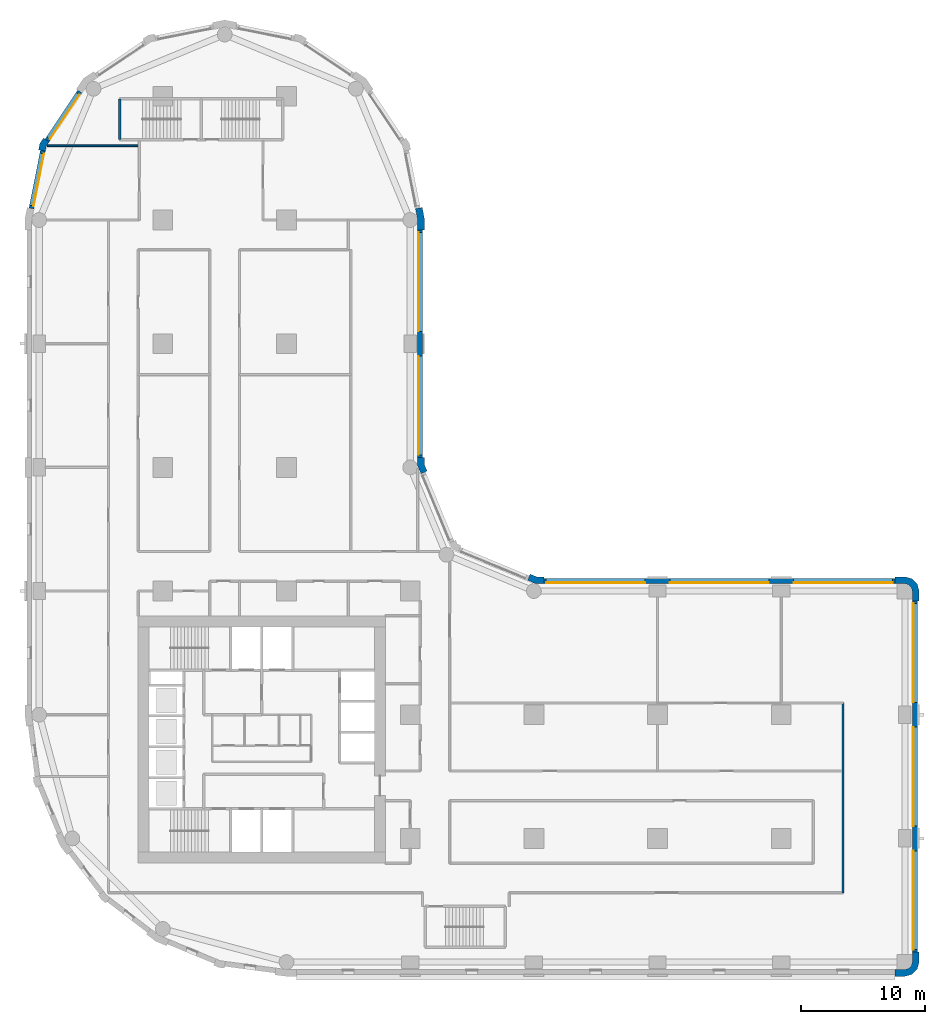
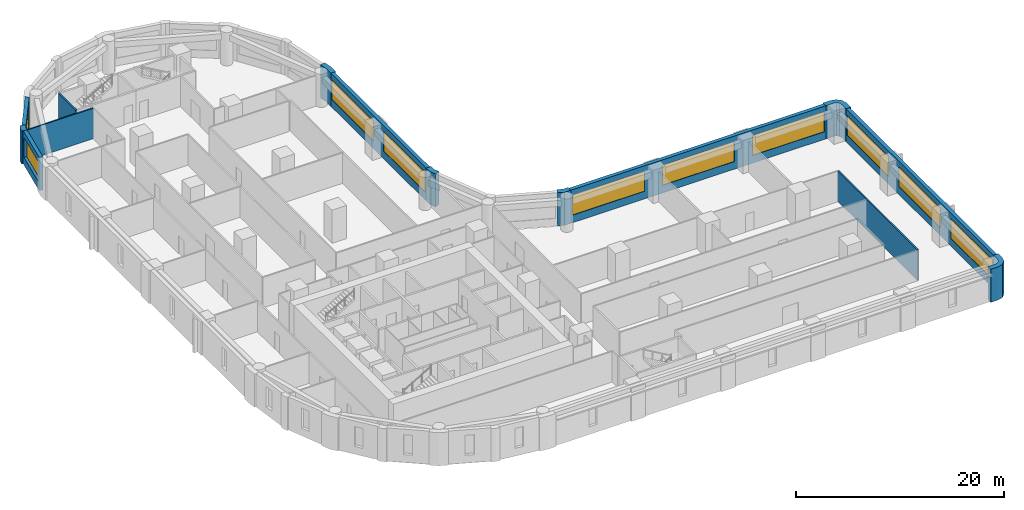
# One storey, part 6 of 10: 14 walls, 10 windows, 10 openings.
"""IFC4 building model written with IfcOpenShell, lengths in metres."""

from ifc_helpers import new_model, si_unit, direction, frame, frame_2d, origin, place, context, subcontext, project, spatial, polyline, rectangle, outline, extrude, material, layer, layer_set, type_object, element, fill, save


model = new_model("IFC4")

# Units and contexts
model_context = context("Model", 3, precision=1e-05, world=origin(), true_north=direction((0.0, 1.0)))
body_context = subcontext(model_context, "Body", "Model", "MODEL_VIEW")
ifc_project = project(units=[si_unit("LENGTHUNIT", "METRE"), si_unit("AREAUNIT", "SQUARE_METRE"), si_unit("VOLUMEUNIT", "CUBIC_METRE"), si_unit("PLANEANGLEUNIT", "RADIAN"), si_unit("MASSUNIT", "GRAM", prefix="KILO")], contexts=[model_context])

# Site, building, storey
site_placement = place(None, origin())
site = spatial("IfcSite", under=ifc_project, at=site_placement, CompositionType="ELEMENT")
building_placement = place(site_placement, origin())
building = spatial("IfcBuilding", under=site, at=building_placement, Name="Qaws Garden Tower", CompositionType="ELEMENT")
storey_placement = place(building_placement, frame((0.0, 0.0, 19.800048828125)))
storey = spatial("IfcBuildingStorey", under=building, at=storey_placement, Name="L04", CompositionType="ELEMENT", Elevation=19.800048828125)

# Walls
ifc_material_1 = material(Name="Clay facing brick masonry", Category="masonry")
ifc_layer_1 = layer(ifc_material_1, 0.550048828125)
ifc_layer_set_1 = layer_set([ifc_layer_1], Name="Clay facing brick masonry")
wall_type_1 = type_object("IfcWallType", Name="Brick corner pier 550 x 2400", PredefinedType="SOLIDWALL", material=ifc_layer_set_1)
placement = place(storey_placement, origin())
element("IfcWall", 1, at=placement, inside=storey, type_object=wall_type_1, Name="E-L04-pier-05", PredefinedType="SOLIDWALL", context=body_context, shape_type="SweptSolid", body=[
    extrude(outline(polyline([(69.199951171875, -1.0), (69.199951171875, -1.14990234375), (70.0, -1.14990234375), (70.574951171875, -0.995849609375), (70.995849609375, -0.574951171875), (71.14990234375, 0.0), (71.14990234375, 0.800048828125), (71.0, 0.800048828125), (70.60009765625, 0.800048828125), (70.60009765625, 0.0), (70.51953125, -0.300048828125), (70.300048828125, -0.51953125), (70.0, -0.60009765625), (69.199951171875, -0.60009765625), (69.199951171875, -1.0)])), origin(), (0.0, 0.0, 1.0), 3.89990234375),
])
element("IfcWall", 2, at=placement, inside=storey, type_object=wall_type_1, Name="E-L04-pier-08", PredefinedType="SOLIDWALL", context=body_context, shape_type="SweptSolid", body=[
    extrude(outline(polyline([(71.0, 29.199951171875), (71.14990234375, 29.199951171875), (71.14990234375, 30.0), (70.995849609375, 30.574951171875), (70.574951171875, 30.995849609375), (70.0, 31.14990234375), (69.199951171875, 31.14990234375), (69.199951171875, 31.0), (69.199951171875, 30.60009765625), (70.0, 30.60009765625), (70.300048828125, 30.51953125), (70.51953125, 30.300048828125), (70.60009765625, 30.0), (70.60009765625, 29.199951171875), (71.0, 29.199951171875)])), origin(), (0.0, 0.0, 1.0), 3.89990234375),
])

# Wall, openings, windows
ifc_material_2 = material(Name="Clay facing brick masonry", Category="masonry")
ifc_layer_2 = layer(ifc_material_2, 0.39990234375)
ifc_layer_set_2 = layer_set([ifc_layer_2], Name="Clay facing brick masonry")
wall_type_2 = type_object("IfcWallType", Name="Brick infill wall 400", PredefinedType="SOLIDWALL", material=ifc_layer_set_2)
wall_3_placement = place(storey_placement, frame((70.800048828125, 0.800048828125, 0.0), z_axis=(0.0, 0.0, 1.0), x_axis=(0.0, 1.0, 0.0)))
wall_3 = element("IfcWall", 3, at=wall_3_placement, inside=storey, type_object=wall_type_2, Name="E-L04-infill-05", PredefinedType="SOLIDWALL", context=body_context, shape_type="SweptSolid", body=[
    extrude(rectangle(XDim=28.39990234375, YDim=0.39990234375, at=frame_2d((14.199951171875, 0.0))), origin(), (0.0, 0.0, 1.0), 3.89990234375),
])
opening_1_placement = place(wall_3_placement, frame((0.199951171875, 0.0, 0.89990234375)))
opening_1 = element("IfcOpeningElement", 4, at=opening_1_placement, cuts=wall_3, Name="Opening W01", PredefinedType="OPENING", context=body_context, shape_type="SweptSolid", body=[
    extrude(rectangle(XDim=8.0, YDim=2.35009765625, at=frame_2d((4.0, 1.175048828125))), frame((0.0, 0.2099609375, 0.0), z_axis=(0.0, -1.0, 0.0), x_axis=(1.0, 0.0, 0.0)), (0.0, 0.0, 1.0), 0.419921875),
])
opening_2_placement = place(wall_3_placement, frame((10.199951171875, 0.0, 0.89990234375)))
opening_2 = element("IfcOpeningElement", 5, at=opening_2_placement, cuts=wall_3, Name="Opening W01", PredefinedType="OPENING", context=body_context, shape_type="SweptSolid", body=[
    extrude(rectangle(XDim=8.0, YDim=2.35009765625, at=frame_2d((4.0, 1.175048828125))), frame((0.0, 0.2099609375, 0.0), z_axis=(0.0, -1.0, 0.0), x_axis=(1.0, 0.0, 0.0)), (0.0, 0.0, 1.0), 0.419921875),
])
opening_3_placement = place(wall_3_placement, frame((20.199951171875, 0.0, 0.89990234375)))
opening_3 = element("IfcOpeningElement", 6, at=opening_3_placement, cuts=wall_3, Name="Opening W01", PredefinedType="OPENING", context=body_context, shape_type="SweptSolid", body=[
    extrude(rectangle(XDim=8.0, YDim=2.35009765625, at=frame_2d((4.0, 1.175048828125))), frame((0.0, 0.2099609375, 0.0), z_axis=(0.0, -1.0, 0.0), x_axis=(1.0, 0.0, 0.0)), (0.0, 0.0, 1.0), 0.419921875),
])
ifc_material_3 = material(Name="Aluminium framed window, clear glazing", Category="aluminium")
window_type_1 = type_object("IfcWindowType", Name="Ribbon window 8000 x 2350", PartitioningType="DOUBLE_PANEL_VERTICAL", PredefinedType="WINDOW", material=ifc_material_3)
window_1_placement = place(opening_1_placement, origin())
window_1 = element("IfcWindow", 7, at=window_1_placement, inside=storey, type_object=window_type_1, Name="E-L04-window-05-0", OverallHeight=2.35009765625, OverallWidth=8.0, PartitioningType="SINGLE_PANEL", PredefinedType="WINDOW", context=body_context, shape_type="SweptSolid", body=[
    extrude(rectangle(XDim=8.0, YDim=2.35009765625, at=frame_2d((4.0, 1.175048828125))), frame((0.0, 0.159912109375, 0.0), z_axis=(0.0, -1.0, 0.0), x_axis=(1.0, 0.0, 0.0)), (0.0, 0.0, 1.0), 0.06005859375),
])
fill(opening_1, window_1)
window_2_placement = place(opening_2_placement, origin())
window_2 = element("IfcWindow", 8, at=window_2_placement, inside=storey, type_object=window_type_1, Name="E-L04-window-06-0", OverallHeight=2.35009765625, OverallWidth=8.0, PartitioningType="SINGLE_PANEL", PredefinedType="WINDOW", context=body_context, shape_type="SweptSolid", body=[
    extrude(rectangle(XDim=8.0, YDim=2.35009765625, at=frame_2d((4.0, 1.175048828125))), frame((0.0, 0.159912109375, 0.0), z_axis=(0.0, -1.0, 0.0), x_axis=(1.0, 0.0, 0.0)), (0.0, 0.0, 1.0), 0.06005859375),
])
fill(opening_2, window_2)
window_3_placement = place(opening_3_placement, origin())
window_3 = element("IfcWindow", 9, at=window_3_placement, inside=storey, type_object=window_type_1, Name="E-L04-window-07-0", OverallHeight=2.35009765625, OverallWidth=8.0, PartitioningType="SINGLE_PANEL", PredefinedType="WINDOW", context=body_context, shape_type="SweptSolid", body=[
    extrude(rectangle(XDim=8.0, YDim=2.35009765625, at=frame_2d((4.0, 1.175048828125))), frame((0.0, 0.159912109375, 0.0), z_axis=(0.0, -1.0, 0.0), x_axis=(1.0, 0.0, 0.0)), (0.0, 0.0, 1.0), 0.06005859375),
])
fill(opening_3, window_3)

wall_4_placement = place(storey_placement, frame((69.199951171875, 30.800048828125, 0.0), z_axis=(0.0, 0.0, 1.0), x_axis=(-1.0, 0.0, 0.0)))
wall_4 = element("IfcWall", 10, at=wall_4_placement, inside=storey, type_object=wall_type_2, Name="E-L04-infill-08", PredefinedType="SOLIDWALL", context=body_context, shape_type="SweptSolid", body=[
    extrude(rectangle(XDim=28.39990234375, YDim=0.39990234375, at=frame_2d((14.199951171875, 0.0))), origin(), (0.0, 0.0, 1.0), 3.89990234375),
])
opening_4_placement = place(wall_4_placement, frame((0.199951171875, 0.0, 0.89990234375)))
opening_4 = element("IfcOpeningElement", 11, at=opening_4_placement, cuts=wall_4, Name="Opening W01", PredefinedType="OPENING", context=body_context, shape_type="SweptSolid", body=[
    extrude(rectangle(XDim=8.0, YDim=2.35009765625, at=frame_2d((4.0, 1.175048828125))), frame((0.0, 0.2099609375, 0.0), z_axis=(0.0, -1.0, 0.0), x_axis=(1.0, 0.0, 0.0)), (0.0, 0.0, 1.0), 0.419921875),
])
opening_5_placement = place(wall_4_placement, frame((10.199951171875, 0.0, 0.89990234375)))
opening_5 = element("IfcOpeningElement", 12, at=opening_5_placement, cuts=wall_4, Name="Opening W01", PredefinedType="OPENING", context=body_context, shape_type="SweptSolid", body=[
    extrude(rectangle(XDim=8.0, YDim=2.35009765625, at=frame_2d((4.0, 1.175048828125))), frame((0.0, 0.2099609375, 0.0), z_axis=(0.0, -1.0, 0.0), x_axis=(1.0, 0.0, 0.0)), (0.0, 0.0, 1.0), 0.419921875),
])
opening_6_placement = place(wall_4_placement, frame((20.199951171875, 0.0, 0.89990234375)))
opening_6 = element("IfcOpeningElement", 13, at=opening_6_placement, cuts=wall_4, Name="Opening W01", PredefinedType="OPENING", context=body_context, shape_type="SweptSolid", body=[
    extrude(rectangle(XDim=8.0, YDim=2.35009765625, at=frame_2d((4.0, 1.175048828125))), frame((0.0, 0.2099609375, 0.0), z_axis=(0.0, -1.0, 0.0), x_axis=(1.0, 0.0, 0.0)), (0.0, 0.0, 1.0), 0.419921875),
])
window_4_placement = place(opening_4_placement, origin())
window_4 = element("IfcWindow", 14, at=window_4_placement, inside=storey, type_object=window_type_1, Name="E-L04-window-08-0", OverallHeight=2.35009765625, OverallWidth=8.0, PartitioningType="SINGLE_PANEL", PredefinedType="WINDOW", context=body_context, shape_type="SweptSolid", body=[
    extrude(rectangle(XDim=8.0, YDim=2.35009765625, at=frame_2d((4.0, 1.175048828125))), frame((0.0, 0.159912109375, 0.0), z_axis=(0.0, -1.0, 0.0), x_axis=(1.0, 0.0, 0.0)), (0.0, 0.0, 1.0), 0.06005859375),
])
fill(opening_4, window_4)
window_5_placement = place(opening_5_placement, origin())
window_5 = element("IfcWindow", 15, at=window_5_placement, inside=storey, type_object=window_type_1, Name="E-L04-window-09-0", OverallHeight=2.35009765625, OverallWidth=8.0, PartitioningType="SINGLE_PANEL", PredefinedType="WINDOW", context=body_context, shape_type="SweptSolid", body=[
    extrude(rectangle(XDim=8.0, YDim=2.35009765625, at=frame_2d((4.0, 1.175048828125))), frame((0.0, 0.159912109375, 0.0), z_axis=(0.0, -1.0, 0.0), x_axis=(1.0, 0.0, 0.0)), (0.0, 0.0, 1.0), 0.06005859375),
])
fill(opening_5, window_5)
window_6_placement = place(opening_6_placement, origin())
window_6 = element("IfcWindow", 16, at=window_6_placement, inside=storey, type_object=window_type_1, Name="E-L04-window-10-0", OverallHeight=2.35009765625, OverallWidth=8.0, PartitioningType="SINGLE_PANEL", PredefinedType="WINDOW", context=body_context, shape_type="SweptSolid", body=[
    extrude(rectangle(XDim=8.0, YDim=2.35009765625, at=frame_2d((4.0, 1.175048828125))), frame((0.0, 0.159912109375, 0.0), z_axis=(0.0, -1.0, 0.0), x_axis=(1.0, 0.0, 0.0)), (0.0, 0.0, 1.0), 0.06005859375),
])
fill(opening_6, window_6)

wall_5_placement = place(storey_placement, frame((30.800048828125, 40.800048828125, 0.0), z_axis=(0.0, 0.0, 1.0), x_axis=(0.0, 1.0, 0.0)))
wall_5 = element("IfcWall", 17, at=wall_5_placement, inside=storey, type_object=wall_type_2, Name="E-L04-infill-13", PredefinedType="SOLIDWALL", context=body_context, shape_type="SweptSolid", body=[
    extrude(rectangle(XDim=18.39990234375, YDim=0.39990234375, at=frame_2d((9.199951171875, 0.0))), origin(), (0.0, 0.0, 1.0), 3.89990234375),
])
opening_7_placement = place(wall_5_placement, frame((0.199951171875, 0.0, 0.89990234375)))
opening_7 = element("IfcOpeningElement", 18, at=opening_7_placement, cuts=wall_5, Name="Opening W01", PredefinedType="OPENING", context=body_context, shape_type="SweptSolid", body=[
    extrude(rectangle(XDim=8.0, YDim=2.35009765625, at=frame_2d((4.0, 1.175048828125))), frame((0.0, 0.2099609375, 0.0), z_axis=(0.0, -1.0, 0.0), x_axis=(1.0, 0.0, 0.0)), (0.0, 0.0, 1.0), 0.419921875),
])
opening_8_placement = place(wall_5_placement, frame((10.199951171875, 0.0, 0.89990234375)))
opening_8 = element("IfcOpeningElement", 19, at=opening_8_placement, cuts=wall_5, Name="Opening W01", PredefinedType="OPENING", context=body_context, shape_type="SweptSolid", body=[
    extrude(rectangle(XDim=8.0, YDim=2.35009765625, at=frame_2d((4.0, 1.175048828125))), frame((0.0, 0.2099609375, 0.0), z_axis=(0.0, -1.0, 0.0), x_axis=(1.0, 0.0, 0.0)), (0.0, 0.0, 1.0), 0.419921875),
])
window_7_placement = place(opening_7_placement, origin())
window_7 = element("IfcWindow", 20, at=window_7_placement, inside=storey, type_object=window_type_1, Name="E-L04-window-13-0", OverallHeight=2.35009765625, OverallWidth=8.0, PartitioningType="SINGLE_PANEL", PredefinedType="WINDOW", context=body_context, shape_type="SweptSolid", body=[
    extrude(rectangle(XDim=8.0, YDim=2.35009765625, at=frame_2d((4.0, 1.175048828125))), frame((0.0, 0.159912109375, 0.0), z_axis=(0.0, -1.0, 0.0), x_axis=(1.0, 0.0, 0.0)), (0.0, 0.0, 1.0), 0.06005859375),
])
fill(opening_7, window_7)
window_8_placement = place(opening_8_placement, origin())
window_8 = element("IfcWindow", 21, at=window_8_placement, inside=storey, type_object=window_type_1, Name="E-L04-window-14-0", OverallHeight=2.35009765625, OverallWidth=8.0, PartitioningType="SINGLE_PANEL", PredefinedType="WINDOW", context=body_context, shape_type="SweptSolid", body=[
    extrude(rectangle(XDim=8.0, YDim=2.35009765625, at=frame_2d((4.0, 1.175048828125))), frame((0.0, 0.159912109375, 0.0), z_axis=(0.0, -1.0, 0.0), x_axis=(1.0, 0.0, 0.0)), (0.0, 0.0, 1.0), 0.06005859375),
])
fill(opening_8, window_8)

# Wall, opening, window
wall_6_placement = place(storey_placement, frame((3.28369140625, 70.385986328125, 0.0), z_axis=(0.0, 0.0, 1.0), x_axis=(-0.555541552266, -0.831488775454, 0.0)))
wall_6 = element("IfcWall", 22, at=wall_6_placement, inside=storey, type_object=wall_type_2, Name="E-L04-infill-21", PredefinedType="SOLIDWALL", context=body_context, shape_type="SweptSolid", body=[
    extrude(rectangle(XDim=4.752685546875, YDim=0.39990234375, at=frame_2d((2.37646484375, 0.0))), origin(), (0.0, 0.0, 1.0), 3.89990234375),
])
opening_9_placement = place(wall_6_placement, frame((0.226318359375, 0.0, 0.89990234375)))
opening_9 = element("IfcOpeningElement", 23, at=opening_9_placement, cuts=wall_6, Name="Opening W06", PredefinedType="OPENING", context=body_context, shape_type="SweptSolid", body=[
    extrude(rectangle(XDim=4.300048828125, YDim=2.35009765625, at=frame_2d((2.14990234375, 1.175048828125))), frame((0.0, 0.2099609375, 0.0), z_axis=(0.0, -1.0, 0.0), x_axis=(1.0, 0.0, 0.0)), (0.0, 0.0, 1.0), 0.419921875),
])
ifc_material_4 = material(Name="Aluminium framed window, clear glazing", Category="aluminium")
window_type_2 = type_object("IfcWindowType", Name="Ribbon window 4300 x 2350", PartitioningType="DOUBLE_PANEL_VERTICAL", PredefinedType="WINDOW", material=ifc_material_4)
window_9_placement = place(opening_9_placement, origin())
window_9 = element("IfcWindow", 24, at=window_9_placement, inside=storey, type_object=window_type_2, Name="E-L04-window-21-0", OverallHeight=2.35009765625, OverallWidth=4.300048828125, PartitioningType="SINGLE_PANEL", PredefinedType="WINDOW", context=body_context, shape_type="SweptSolid", body=[
    extrude(rectangle(XDim=4.300048828125, YDim=2.35009765625, at=frame_2d((2.14990234375, 1.175048828125))), frame((0.0, 0.159912109375, 0.0), z_axis=(0.0, -1.0, 0.0), x_axis=(1.0, 0.0, 0.0)), (0.0, 0.0, 1.0), 0.06005859375),
])
fill(opening_9, window_9)

wall_7_placement = place(storey_placement, frame((0.298583984375, 65.60205078125, 0.0), z_axis=(0.0, 0.0, 1.0), x_axis=(-0.195098533057, -0.98078364709, 0.0)))
wall_7 = element("IfcWall", 25, at=wall_7_placement, inside=storey, type_object=wall_type_2, Name="E-L04-infill-22", PredefinedType="SOLIDWALL", context=body_context, shape_type="SweptSolid", body=[
    extrude(rectangle(XDim=4.752685546875, YDim=0.39990234375, at=frame_2d((2.37646484375, 0.0))), origin(), (0.0, 0.0, 1.0), 3.89990234375),
])
opening_10_placement = place(wall_7_placement, frame((0.226318359375, 0.0, 0.89990234375)))
opening_10 = element("IfcOpeningElement", 26, at=opening_10_placement, cuts=wall_7, Name="Opening W06", PredefinedType="OPENING", context=body_context, shape_type="SweptSolid", body=[
    extrude(rectangle(XDim=4.300048828125, YDim=2.35009765625, at=frame_2d((2.14990234375, 1.175048828125))), frame((0.0, 0.2099609375, 0.0), z_axis=(0.0, -1.0, 0.0), x_axis=(1.0, 0.0, 0.0)), (0.0, 0.0, 1.0), 0.419921875),
])
window_10_placement = place(opening_10_placement, origin())
window_10 = element("IfcWindow", 27, at=window_10_placement, inside=storey, type_object=window_type_2, Name="E-L04-window-22-0", OverallHeight=2.35009765625, OverallWidth=4.300048828125, PartitioningType="SINGLE_PANEL", PredefinedType="WINDOW", context=body_context, shape_type="SweptSolid", body=[
    extrude(rectangle(XDim=4.300048828125, YDim=2.35009765625, at=frame_2d((2.14990234375, 1.175048828125))), frame((0.0, 0.159912109375, 0.0), z_axis=(0.0, -1.0, 0.0), x_axis=(1.0, 0.0, 0.0)), (0.0, 0.0, 1.0), 0.06005859375),
])
fill(opening_10, window_10)

# Walls
ifc_material_5 = material(Name="Clay facing brick masonry", Category="masonry")
ifc_layer_3 = layer(ifc_material_5, 0.550048828125)
ifc_layer_set_3 = layer_set([ifc_layer_3], Name="Clay facing brick masonry")
wall_type_3 = type_object("IfcWallType", Name="Brick kink pier 550 x 600", PredefinedType="SOLIDWALL", material=ifc_layer_set_3)
element("IfcWall", 28, at=placement, inside=storey, type_object=wall_type_3, Name="E-L04-pier-22", PredefinedType="SOLIDWALL", context=body_context, shape_type="SweptSolid", body=[
    extrude(outline(polyline([(0.47705078125, 66.545166015625), (0.352294921875, 66.628662109375), (0.05859375, 66.18896484375), (-0.044677734375, 65.67041015625), (0.1025390625, 65.64111328125), (0.494873046875, 65.56298828125), (0.57666015625, 65.974365234375), (0.8095703125, 66.322998046875), (0.47705078125, 66.545166015625)])), origin(), (0.0, 0.0, 1.0), 3.89990234375),
])
ifc_material_6 = material(Name="Clay facing brick masonry", Category="masonry")
ifc_layer_4 = layer(ifc_material_6, 0.550048828125)
ifc_layer_set_4 = layer_set([ifc_layer_4], Name="Clay facing brick masonry")
wall_type_4 = type_object("IfcWallType", Name="Brick pier 550 x 1600", PredefinedType="SOLIDWALL", material=ifc_layer_set_4)
element("IfcWall", 29, at=placement, inside=storey, type_object=wall_type_4, Name="E-L04-pier-11", PredefinedType="SOLIDWALL", context=body_context, shape_type="SweptSolid", body=[
    extrude(outline(polyline([(40.800048828125, 31.0), (40.800048828125, 31.14990234375), (40.228759765625, 31.14990234375), (39.700927734375, 31.36865234375), (39.6435546875, 31.22998046875), (39.490478515625, 30.860595703125), (40.119384765625, 30.60009765625), (40.800048828125, 30.60009765625), (40.800048828125, 31.0)])), origin(), (0.0, 0.0, 1.0), 3.89990234375),
])
element("IfcWall", 30, at=placement, inside=storey, type_object=wall_type_4, Name="E-L04-pier-13", PredefinedType="SOLIDWALL", context=body_context, shape_type="SweptSolid", body=[
    extrude(outline(polyline([(31.22998046875, 39.6435546875), (31.36865234375, 39.700927734375), (31.14990234375, 40.228759765625), (31.14990234375, 40.800048828125), (31.0, 40.800048828125), (30.60009765625, 40.800048828125), (30.60009765625, 40.119384765625), (30.860595703125, 39.490478515625), (31.22998046875, 39.6435546875)])), origin(), (0.0, 0.0, 1.0), 3.89990234375),
])
element("IfcWall", 31, at=placement, inside=storey, type_object=wall_type_4, Name="E-L04-pier-15", PredefinedType="SOLIDWALL", context=body_context, shape_type="SweptSolid", body=[
    extrude(outline(polyline([(31.0, 59.199951171875), (31.14990234375, 59.199951171875), (31.14990234375, 60.11328125), (30.971923828125, 61.009033203125), (30.82470703125, 60.979736328125), (30.432373046875, 60.901611328125), (30.60009765625, 60.05908203125), (30.60009765625, 59.199951171875), (31.0, 59.199951171875)])), origin(), (0.0, 0.0, 1.0), 3.89990234375),
])
ifc_material_7 = material(Name="Concrete C80", Category="concrete")
ifc_layer_5 = layer(ifc_material_7, 0.199951171875)
ifc_layer_set_5 = layer_set([ifc_layer_5], Name="Concrete C80")
wall_type_5 = type_object("IfcWallType", Name="Core shaft wall 200 C80", PredefinedType="SHEAR", material=ifc_layer_set_5)
wall_12_placement = place(storey_placement, frame((6.5, 66.5, 0.0), z_axis=(0.0, 0.0, 1.0), x_axis=(0.0, 1.0, 0.0)))
element("IfcWall", 32, at=wall_12_placement, inside=storey, type_object=wall_type_5, Name="Shaft wall", PredefinedType="SHEAR", context=body_context, shape_type="SweptSolid", body=[
    extrude(rectangle(XDim=3.300048828125, YDim=0.199951171875, at=frame_2d((1.64990234375, 0.0))), origin(), (0.0, 0.0, 1.0), 3.579833984375),
])
ifc_material_8 = material(Name="Gypsum board partition")
ifc_layer_6 = layer(ifc_material_8, 0.14990234375)
ifc_layer_set_6 = layer_set([ifc_layer_6], Name="Gypsum board partition")
wall_type_6 = type_object("IfcWallType", Name="PARTITION 150 EI 60", PredefinedType="PARTITIONING", material=ifc_layer_set_6)
wall_13_placement = place(storey_placement, frame((65.0, 5.60009765625, 0.0), z_axis=(0.0, 0.0, 1.0), x_axis=(0.0, 1.0, 0.0)))
element("IfcWall", 33, at=wall_13_placement, inside=storey, type_object=wall_type_6, Name="O-L04-wall-027", PredefinedType="PARTITIONING", context=body_context, shape_type="SweptSolid", body=[
    extrude(rectangle(XDim=15.349853515625, YDim=0.14990234375, at=frame_2d((7.6748046875, 0.0))), origin(), (0.0, 0.0, 1.0), 3.579833984375),
])
wall_14_placement = place(storey_placement, frame((0.643798828125, 66.0, 0.0), z_axis=(0.0, 0.0, 1.0), x_axis=(1.0, 0.0, 0.0)))
element("IfcWall", 34, at=wall_14_placement, inside=storey, type_object=wall_type_6, Name="O-L04-wall-058", PredefinedType="PARTITIONING", context=body_context, shape_type="SweptSolid", body=[
    extrude(rectangle(XDim=7.456298828125, YDim=0.14990234375, at=frame_2d((3.72802734375, 0.0))), origin(), (0.0, 0.0, 1.0), 3.579833984375),
])

save(model, "model.ifc")
